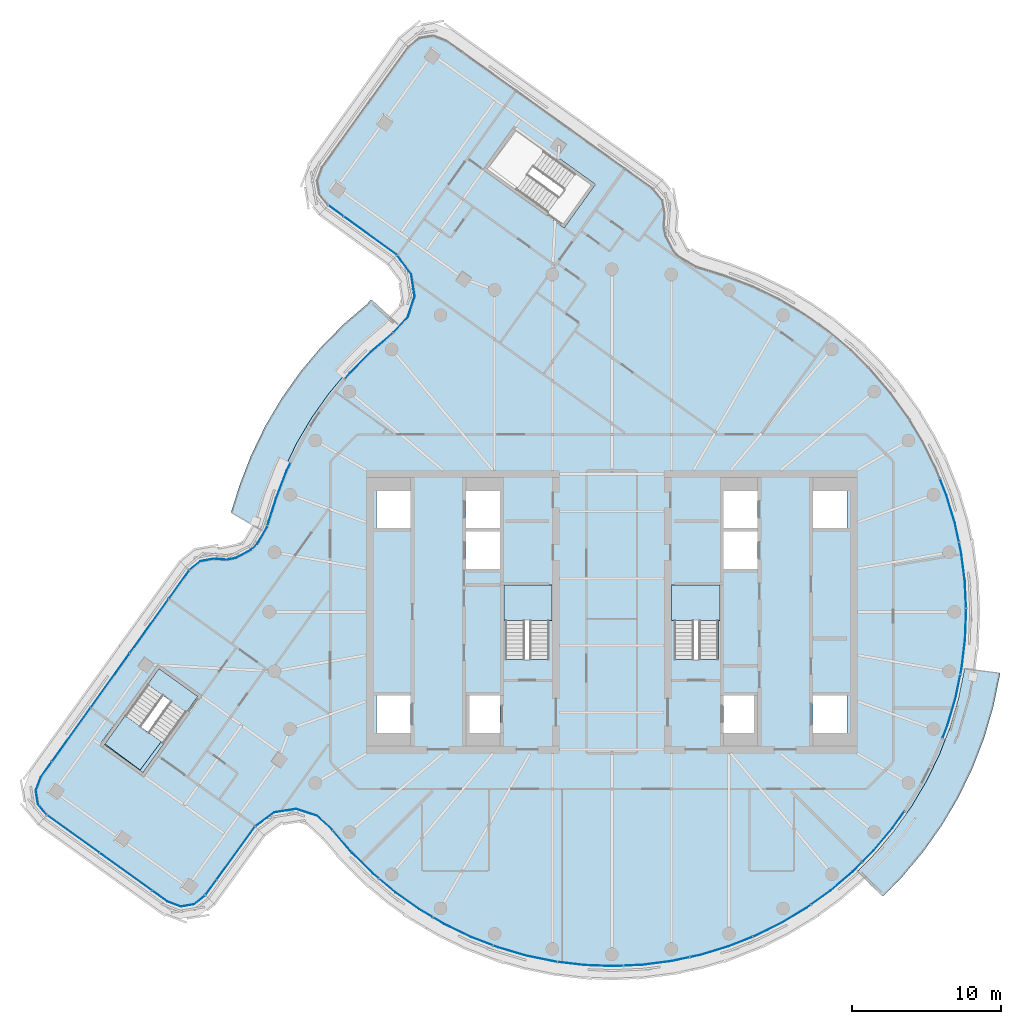
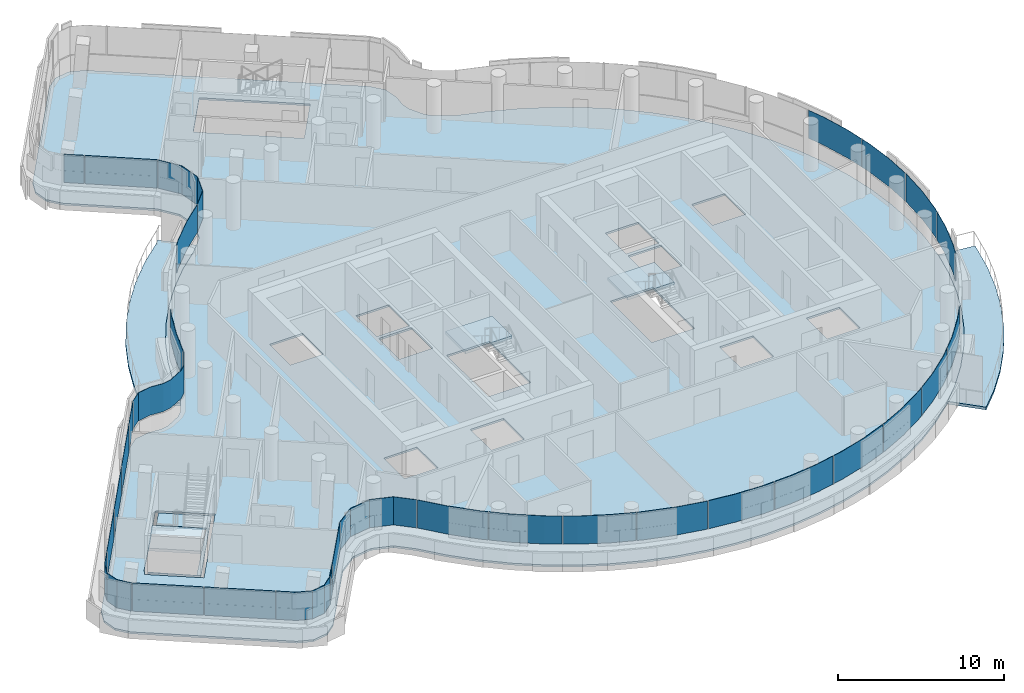
# One storey, part 15 of 27: 31 plates, 7 slabs, 9 elements without a shape of their own.
"""IFC4 building model written with IfcOpenShell, lengths in metres."""

from ifc_helpers import new_model, si_unit, direction, frame, origin, place, context, subcontext, project, spatial, polyline, outline, extrude, material, layer, layer_set, type_object, element, aggregate, save


model = new_model("IFC4")

# Units and contexts
model_context = context("Model", 3, precision=1e-05, world=origin(), true_north=direction((0.0, 1.0)))
body_context = subcontext(model_context, "Body", "Model", "MODEL_VIEW")
ifc_project = project(units=[si_unit("LENGTHUNIT", "METRE"), si_unit("AREAUNIT", "SQUARE_METRE"), si_unit("VOLUMEUNIT", "CUBIC_METRE"), si_unit("PLANEANGLEUNIT", "RADIAN"), si_unit("MASSUNIT", "GRAM", prefix="KILO")], contexts=[model_context])

# Site, building, storey
site_placement = place(None, origin())
site = spatial("IfcSite", under=ifc_project, at=site_placement, CompositionType="ELEMENT")
building_placement = place(site_placement, origin())
building = spatial("IfcBuilding", under=site, at=building_placement, Name="Tamarind Cross Interchange Tower", CompositionType="ELEMENT")
storey_placement = place(building_placement, frame((0.0, 0.0, 230.699951171875)))
storey = spatial("IfcBuildingStorey", under=building, at=storey_placement, Name="L58", CompositionType="ELEMENT", Elevation=230.699951171875)

# Slabs
ifc_material_1 = material(Name="Precast concrete C40", Category="concrete")
ifc_layer_1 = layer(ifc_material_1, 0.199951171875)
ifc_layer_set_1 = layer_set([ifc_layer_1], Name="Precast concrete C40")
slab_type_1 = type_object("IfcSlabType", Name="Balcony slab", PredefinedType="BASESLAB", material=ifc_layer_set_1)
slab_1_placement = place(storey_placement, frame((0.0, 0.0, -0.199951171875)))
element("IfcSlab", 1, at=slab_1_placement, inside=storey, type_object=slab_type_1, Name="SLB-L58-BAL02", PredefinedType="BASESLAB", context=body_context, shape_type="SweptSolid", body=[
    extrude(outline(polyline([(16.49658203125, -17.414306640625), (17.72412109375, -16.17578125), (18.99951171875, -14.656982421875), (20.14501953125, -13.0380859375), (21.15283203125, -11.329833984375), (22.01611328125, -9.54443359375), (22.72900390625, -7.69384765625), (23.286865234375, -5.79052734375), (23.685546875, -3.84765625), (23.686767578125, -3.836669921875), (26.069580078125, -4.123291015625), (26.056396484375, -4.23291015625), (25.617919921875, -6.3701171875), (25.00439453125, -8.4638671875), (24.219970703125, -10.499755859375), (23.270263671875, -12.464111328125), (22.161376953125, -14.343017578125), (20.9013671875, -16.124267578125), (19.498291015625, -17.795166015625), (18.200927734375, -19.10400390625), (16.49658203125, -17.414306640625)])), origin(), (0.0, 0.0, 1.0), 0.199951171875),
])
slab_2_placement = place(storey_placement, frame((0.0, 0.0, -0.199951171875)))
element("IfcSlab", 2, at=slab_2_placement, inside=storey, type_object=slab_type_1, Name="SLB-L58-BAL06", PredefinedType="BASESLAB", context=body_context, shape_type="SweptSolid", body=[
    extrude(outline(polyline([(-14.4013671875, 19.325927734375), (-14.820068359375, 18.87255859375), (-16.327880859375, 17.584228515625), (-17.72412109375, 16.17578125), (-18.99951171875, 14.656982421875), (-20.14501953125, 13.0380859375), (-21.15283203125, 11.329833984375), (-22.01611328125, 9.54443359375), (-22.72900390625, 7.69384765625), (-23.338623046875, 5.751220703125), (-23.5029296875, 5.47021484375), (-25.5751953125, 6.6806640625), (-25.547607421875, 6.72802734375), (-24.99609375, 8.485107421875), (-24.219970703125, 10.499755859375), (-23.270263671875, 12.464111328125), (-22.161376953125, 14.343017578125), (-20.9013671875, 16.124267578125), (-19.498291015625, 17.795166015625), (-17.96240234375, 19.344482421875), (-16.487060546875, 20.60498046875), (-16.1650390625, 20.953857421875), (-14.4013671875, 19.325927734375)])), origin(), (0.0, 0.0, 1.0), 0.199951171875),
])
ifc_material_2 = material(Name="Concrete C35", Category="concrete")
ifc_layer_2 = layer(ifc_material_2, 0.139892578125)
ifc_layer_set_2 = layer_set([ifc_layer_2], Name="Concrete C35")
slab_type_2 = type_object("IfcSlabType", Name="Composite slab 140 Concrete C35", PredefinedType="FLOOR", material=ifc_layer_set_2)
slab_3_placement = place(storey_placement, frame((0.0, 0.0, -0.139892578125)))
element("IfcSlab", 3, at=slab_3_placement, inside=storey, type_object=slab_type_2, Name="Floor slab L58", PredefinedType="FLOOR", context=body_context, shape_type="SweptSolid", body=[
    extrude(outline(polyline([(-27.72705078125, 3.582275390625), (-28.5107421875, 2.933837890625), (-38.51953125, -11.01025390625), (-38.885009765625, -11.978759765625), (-38.71728515625, -13.00048828125), (-38.06103515625, -13.80126953125), (-29.937255859375, -19.63232421875), (-28.968505859375, -19.997802734375), (-27.947021484375, -19.830078125), (-27.146240234375, -19.173828125), (-23.798828125, -14.558349609375), (-22.587890625, -13.659423828125), (-21.21630859375, -13.441650390625), (-19.896728515625, -13.874755859375), (-18.87255859375, -14.820068359375), (-17.584228515625, -16.327880859375), (-16.17578125, -17.72412109375), (-14.656982421875, -18.99951171875), (-13.0380859375, -20.14501953125), (-11.329833984375, -21.15283203125), (-9.54443359375, -22.01611328125), (-7.693603515625, -22.72900390625), (-5.79052734375, -23.286865234375), (-3.84765625, -23.685546875), (-1.878662109375, -23.92236328125), (0.103271484375, -23.99560546875), (2.08447265625, -23.9052734375), (4.051513671875, -23.651611328125), (5.99072265625, -23.236083984375), (7.88916015625, -22.662109375), (9.7333984375, -21.93310546875), (11.511474609375, -21.054443359375), (13.2109375, -20.031982421875), (14.820068359375, -18.87255859375), (16.327880859375, -17.584228515625), (17.72412109375, -16.17578125), (18.99951171875, -14.656982421875), (20.14501953125, -13.0380859375), (21.15283203125, -11.329833984375), (22.01611328125, -9.54443359375), (22.72900390625, -7.693603515625), (23.286865234375, -5.79052734375), (23.685546875, -3.84765625), (23.92236328125, -1.878662109375), (23.99560546875, 0.103271484375), (23.9052734375, 2.08447265625), (23.651611328125, 4.051513671875), (23.236083984375, 5.99072265625), (22.662109375, 7.88916015625), (21.93310546875, 9.7333984375), (21.054443359375, 11.511474609375), (20.031982421875, 13.2109375), (18.87255859375, 14.820068359375), (17.584228515625, 16.327880859375), (16.17578125, 17.72412109375), (14.656982421875, 18.99951171875), (13.0380859375, 20.14501953125), (11.329833984375, 21.15283203125), (9.54443359375, 22.01611328125), (7.693603515625, 22.72900390625), (5.751220703125, 23.338623046875), (4.681640625, 23.96337890625), (4.30712890625, 24.356201171875), (3.7998046875, 25.328369140625), (3.691650390625, 25.8603515625), (3.76123046875, 26.7255859375), (3.582275390625, 27.72705078125), (2.933837890625, 28.5107421875), (-11.01025390625, 38.51953125), (-11.978759765625, 38.885009765625), (-13.00048828125, 38.71728515625), (-13.80126953125, 38.06103515625), (-19.63232421875, 29.937255859375), (-19.997802734375, 28.968505859375), (-19.830078125, 27.947021484375), (-19.173828125, 27.146240234375), (-14.558349609375, 23.798828125), (-13.659423828125, 22.587890625), (-13.441650390625, 21.21630859375), (-13.874755859375, 19.896728515625), (-14.820068359375, 18.87255859375), (-16.327880859375, 17.584228515625), (-17.72412109375, 16.17578125), (-18.99951171875, 14.656982421875), (-20.14501953125, 13.0380859375), (-21.15283203125, 11.329833984375), (-22.01611328125, 9.54443359375), (-22.72900390625, 7.693603515625), (-23.338623046875, 5.751220703125), (-23.96337890625, 4.681640625), (-24.356201171875, 4.30712890625), (-25.328369140625, 3.7998046875), (-25.8603515625, 3.691650390625), (-26.7255859375, 3.76123046875), (-27.72705078125, 3.582275390625)]), holes=[polyline([(-30.44775390625, -3.53759765625), (-30.285400390625, -3.654296875), (-27.685791015625, -5.520263671875), (-27.523193359375, -5.636962890625), (-31.43017578125, -11.079833984375), (-31.592529296875, -10.963134765625), (-34.192138671875, -9.09716796875), (-34.354736328125, -8.980712890625), (-34.1884765625, -8.748779296875), (-34.236572265625, -8.713134765625), (-32.269775390625, -6.075927734375), (-30.44775390625, -3.53759765625)]), polyline([(-13.5, -8.125), (-15.800048828125, -8.125), (-15.800048828125, -5.625), (-13.5, -5.625), (-13.5, -8.125)]), polyline([(-7.5, -8.125), (-9.800048828125, -8.125), (-9.800048828125, -5.625), (-7.5, -5.625), (-7.5, -8.125)]), polyline([(-7.5, 2.875), (-9.800048828125, 2.875), (-9.800048828125, 5.375), (-7.5, 5.375), (-7.5, 2.875)]), polyline([(-13.5, 8.125), (-13.5, 5.625), (-15.800048828125, 5.625), (-15.800048828125, 8.125), (-13.5, 8.125)]), polyline([(-7.5, 5.625), (-9.800048828125, 5.625), (-9.800048828125, 8.125), (-7.5, 8.125), (-7.5, 5.625)]), polyline([(-1.1005859375, 28.698486328125), (-1.217041015625, 28.535888671875), (-3.0830078125, 25.936279296875), (-3.19970703125, 25.773681640625), (-8.642578125, 29.680908203125), (-8.526123046875, 29.84326171875), (-6.66015625, 32.44287109375), (-6.54345703125, 32.605224609375), (-6.311279296875, 32.438720703125), (-6.30810546875, 32.443115234375), (-6.075927734375, 32.269775390625), (-1.1005859375, 28.698486328125)]), polyline([(7.5, -8.125), (7.5, -5.625), (9.800048828125, -5.625), (9.800048828125, -8.125), (7.5, -8.125)]), polyline([(13.5, -8.125), (13.5, -5.625), (15.800048828125, -5.625), (15.800048828125, -8.125), (13.5, -8.125)]), polyline([(-7.14990234375, 1.800048828125), (-4.199951171875, 1.800048828125), (-4.199951171875, -3.18798828125), (-7.14990234375, -3.18798828125), (-7.14990234375, 1.800048828125)]), polyline([(7.14990234375, 1.800048828125), (7.14990234375, -3.18798828125), (4.199951171875, -3.18798828125), (4.199951171875, 1.800048828125), (7.14990234375, 1.800048828125)]), polyline([(7.5, 5.375), (9.800048828125, 5.375), (9.800048828125, 2.875), (7.5, 2.875), (7.5, 5.375)]), polyline([(7.5, 5.625), (7.5, 8.125), (9.800048828125, 8.125), (9.800048828125, 5.625), (7.5, 5.625)]), polyline([(13.5, 8.125), (15.800048828125, 8.125), (15.800048828125, 5.625), (13.5, 5.625), (13.5, 8.125)])]), origin(), (0.0, 0.0, 1.0), 0.139892578125),
])
slab_4_placement = place(storey_placement, frame((0.0, 0.0, -0.139892578125)))
element("IfcSlab", 4, at=slab_4_placement, inside=storey, type_object=slab_type_2, Name="Floor slab L58", PredefinedType="FLOOR", context=body_context, shape_type="SweptSolid", body=[
    extrude(outline(polyline([(-34.07568359375, -8.934814453125), (-31.47607421875, -10.80078125), (-27.80224609375, -5.6826171875), (-30.40185546875, -3.816650390625), (-31.118896484375, -4.815673828125), (-31.13671875, -4.840087890625), (-31.1669921875, -4.882568359375), (-28.70556640625, -6.6494140625), (-31.67138671875, -10.626220703125), (-34.028076171875, -8.868408203125), (-34.07568359375, -8.934814453125)])), origin(), (0.0, 0.0, 1.0), 0.139892578125),
])

# Stair, slab
ifc_material_3 = material(Name="Exit stair")
stair_type = type_object("IfcStairType", Name="Exit stair", PredefinedType="HALF_TURN_STAIR", material=ifc_material_3)
stair_1_placement = place(storey_placement, origin())
stair_1 = element("IfcStair", 5, at=stair_1_placement, inside=storey, type_object=stair_type, Name="L58 exit stair ST1", PredefinedType="HALF_TURN_STAIR")
ifc_material_4 = material(Name="Concrete C40", Category="concrete")
ifc_layer_3 = layer(ifc_material_4, 0.199951171875)
ifc_layer_set_3 = layer_set([ifc_layer_3], Name="Concrete C40")
slab_type_3 = type_object("IfcSlabType", Name="Stair landing", PredefinedType="LANDING", material=ifc_layer_set_3)
slab_5_placement = place(storey_placement, frame((0.0, 0.0, 1.60009765625)))
slab_5 = element("IfcSlab", 6, at=slab_5_placement, type_object=slab_type_3, Name="ST1 landing 1", PredefinedType="LANDING", context=body_context, shape_type="SweptSolid", body=[
    extrude(outline(polyline([(-4.0, -0.60009765625), (-4.0, 1.800048828125), (-7.25, 1.800048828125), (-7.25, -0.60009765625), (-4.0, -0.60009765625)])), origin(), (0.0, 0.0, 1.0), 0.199951171875),
])
aggregate(stair_1, [slab_5])

stair_2_placement = place(storey_placement, origin())
stair_2 = element("IfcStair", 7, at=stair_2_placement, inside=storey, type_object=stair_type, Name="L58 exit stair ST2", PredefinedType="HALF_TURN_STAIR")
slab_6_placement = place(storey_placement, frame((0.0, 0.0, 1.60009765625)))
slab_6 = element("IfcSlab", 8, at=slab_6_placement, type_object=slab_type_3, Name="ST2 landing 1", PredefinedType="LANDING", context=body_context, shape_type="SweptSolid", body=[
    extrude(outline(polyline([(7.25, -0.60009765625), (7.25, 1.800048828125), (4.0, 1.800048828125), (4.0, -0.60009765625), (7.25, -0.60009765625)])), origin(), (0.0, 0.0, 1.0), 0.199951171875),
])
aggregate(stair_2, [slab_6])

stair_3_placement = place(storey_placement, origin())
stair_3 = element("IfcStair", 9, at=stair_3_placement, inside=storey, type_object=stair_type, Name="L58 exit stair ST5", PredefinedType="HALF_TURN_STAIR")
slab_7_placement = place(storey_placement, frame((0.0, 0.0, 1.60009765625)))
slab_7 = element("IfcSlab", 10, at=slab_7_placement, type_object=slab_type_3, Name="ST5 landing 1", PredefinedType="LANDING", context=body_context, shape_type="SweptSolid", body=[
    extrude(outline(polyline([(-32.669189453125, -6.975341796875), (-34.07568359375, -8.934814453125), (-31.47607421875, -10.80078125), (-30.069580078125, -8.84130859375), (-32.669189453125, -6.975341796875)])), origin(), (0.0, 0.0, 1.0), 0.199951171875),
])
aggregate(stair_3, [slab_7])

# Curtain wall, plates
ifc_material_5 = material(Name="Aluminium 6063-T6", Category="aluminium")
ifc_layer_4 = layer(ifc_material_5, 0.139892578125)
ifc_layer_set_4 = layer_set([ifc_layer_4], Name="Aluminium 6063-T6")
curtain_wall_type = type_object("IfcCurtainWallType", Name="Hotel curtain wall, 4.5 m bays", PredefinedType="NOTDEFINED", material=ifc_layer_set_4)
curtain_wall_1_placement = place(storey_placement, origin())
curtain_wall_1 = element("IfcCurtainWall", 11, at=curtain_wall_1_placement, inside=storey, type_object=curtain_wall_type, Name="CWS-L58-00", PredefinedType="NOTDEFINED")
ifc_material_6 = material(Name="Laminated low-e glass 6+1.52+6", Category="glass")
ifc_layer_5 = layer(ifc_material_6, 0.02392578125)
ifc_layer_set_5 = layer_set([ifc_layer_5], Name="Laminated low-e glass 6+1.52+6")
plate_type = type_object("IfcPlateType", Name="Vision panel CW2", PredefinedType="CURTAIN_PANEL", material=ifc_layer_set_5)
plate_1_placement = place(storey_placement, frame((0.0, 0.0, 1.400146484375)))
plate_1 = element("IfcPlate", 12, at=plate_1_placement, type_object=plate_type, Name="CWP-L58-00-00", PredefinedType="CURTAIN_PANEL", context=body_context, shape_type="SweptSolid", body=[
    extrude(outline(polyline([(-37.8916015625, -13.661865234375), (-34.41015625, -16.160888671875), (-34.424072265625, -16.180419921875), (-37.90576171875, -13.681396484375), (-37.8916015625, -13.661865234375)])), origin(), (0.0, 0.0, 1.0), 2.059814453125),
])
plate_2_placement = place(storey_placement, frame((0.0, 0.0, 1.400146484375)))
plate_2 = element("IfcPlate", 13, at=plate_2_placement, type_object=plate_type, Name="CWP-L58-00-01", PredefinedType="CURTAIN_PANEL", context=body_context, shape_type="SweptSolid", body=[
    extrude(outline(polyline([(-34.361328125, -16.19580078125), (-30.8798828125, -18.69482421875), (-30.893798828125, -18.71435546875), (-34.37548828125, -16.21533203125), (-34.361328125, -16.19580078125)])), origin(), (0.0, 0.0, 1.0), 2.059814453125),
])
plate_3_placement = place(storey_placement, frame((0.0, 0.0, 1.400146484375)))
plate_3 = element("IfcPlate", 14, at=plate_3_placement, type_object=plate_type, Name="CWP-L58-00-02", PredefinedType="CURTAIN_PANEL", context=body_context, shape_type="SweptSolid", body=[
    extrude(outline(polyline([(-30.8310546875, -18.729736328125), (-29.836181640625, -19.44384765625), (-28.947021484375, -19.779541015625), (-28.037353515625, -19.630126953125), (-27.32373046875, -19.045166015625), (-27.30859375, -19.06396484375), (-28.027099609375, -19.652587890625), (-28.949462890625, -19.80419921875), (-29.84765625, -19.46533203125), (-30.844970703125, -18.749267578125), (-30.8310546875, -18.729736328125)])), origin(), (0.0, 0.0, 1.0), 2.059814453125),
])
aggregate(curtain_wall_1, [plate_1, plate_2, plate_3])

curtain_wall_2_placement = place(storey_placement, origin())
curtain_wall_2 = element("IfcCurtainWall", 15, at=curtain_wall_2_placement, inside=storey, type_object=curtain_wall_type, Name="CWS-L58-01", PredefinedType="NOTDEFINED")
plate_4_placement = place(storey_placement, frame((0.0, 0.0, 1.400146484375)))
plate_4 = element("IfcPlate", 16, at=plate_4_placement, type_object=plate_type, Name="CWP-L58-01-00", PredefinedType="CURTAIN_PANEL", context=body_context, shape_type="SweptSolid", body=[
    extrude(outline(polyline([(-27.28515625, -19.004150390625), (-26.569580078125, -18.017822265625), (-26.55029296875, -18.031982421875), (-27.265625, -19.018310546875), (-27.28515625, -19.004150390625)])), origin(), (0.0, 0.0, 1.0), 2.059814453125),
])
plate_5_placement = place(storey_placement, frame((0.0, 0.0, 1.400146484375)))
plate_5 = element("IfcPlate", 17, at=plate_5_placement, type_object=plate_type, Name="CWP-L58-01-01", PredefinedType="CURTAIN_PANEL", context=body_context, shape_type="SweptSolid", body=[
    extrude(outline(polyline([(-26.534423828125, -17.96923828125), (-23.969970703125, -14.433349609375), (-23.95068359375, -14.447265625), (-26.51513671875, -17.9833984375), (-26.534423828125, -17.96923828125)])), origin(), (0.0, 0.0, 1.0), 2.059814453125),
])
aggregate(curtain_wall_2, [plate_4, plate_5])

curtain_wall_3_placement = place(storey_placement, origin())
curtain_wall_3 = element("IfcCurtainWall", 18, at=curtain_wall_3_placement, inside=storey, type_object=curtain_wall_type, Name="CWS-L58-02", PredefinedType="NOTDEFINED")
plate_6_placement = place(storey_placement, frame((0.0, 0.0, 1.400146484375)))
plate_6 = element("IfcPlate", 19, at=plate_6_placement, type_object=plate_type, Name="CWP-L58-02-00", PredefinedType="CURTAIN_PANEL", context=body_context, shape_type="SweptSolid", body=[
    extrude(outline(polyline([(-23.92578125, -14.388427734375), (-22.67236328125, -13.458251953125), (-21.19873046875, -13.22412109375), (-19.786865234375, -13.687744140625), (-18.7392578125, -14.654541015625), (-18.755615234375, -14.672119140625), (-19.79931640625, -13.708984375), (-21.20068359375, -13.248779296875), (-22.662841796875, -13.48095703125), (-23.911376953125, -14.40771484375), (-23.92578125, -14.388427734375)])), origin(), (0.0, 0.0, 1.0), 2.059814453125),
])
plate_7_placement = place(storey_placement, frame((0.0, 0.0, 1.400146484375)))
plate_7 = element("IfcPlate", 20, at=plate_7_placement, type_object=plate_type, Name="CWP-L58-02-01", PredefinedType="CURTAIN_PANEL", context=body_context, shape_type="SweptSolid", body=[
    extrude(outline(polyline([(-18.697021484375, -14.698974609375), (-17.4287109375, -16.183349609375), (-16.032958984375, -17.5673828125), (-15.644775390625, -17.893310546875), (-15.66015625, -17.91162109375), (-16.049072265625, -17.585205078125), (-17.4462890625, -16.19970703125), (-18.71533203125, -14.714599609375), (-18.697021484375, -14.698974609375)])), origin(), (0.0, 0.0, 1.0), 2.059814453125),
])
plate_8_placement = place(storey_placement, frame((0.0, 0.0, 1.400146484375)))
plate_8 = element("IfcPlate", 21, at=plate_8_placement, type_object=plate_type, Name="CWP-L58-02-02", PredefinedType="CURTAIN_PANEL", context=body_context, shape_type="SweptSolid", body=[
    extrude(outline(polyline([(-15.598876953125, -17.931884765625), (-14.52734375, -18.83154296875), (-12.922607421875, -19.966796875), (-12.026611328125, -20.49560546875), (-12.03857421875, -20.516357421875), (-12.935791015625, -19.987060546875), (-14.5419921875, -18.850341796875), (-15.6142578125, -17.9501953125), (-15.598876953125, -17.931884765625)])), origin(), (0.0, 0.0, 1.0), 2.059814453125),
])
plate_9_placement = place(storey_placement, frame((0.0, 0.0, 1.400146484375)))
plate_9 = element("IfcPlate", 22, at=plate_9_placement, type_object=plate_type, Name="CWP-L58-02-03", PredefinedType="CURTAIN_PANEL", context=body_context, shape_type="SweptSolid", body=[
    extrude(outline(polyline([(-11.974853515625, -20.526123046875), (-11.229736328125, -20.9658203125), (-9.4599609375, -21.821533203125), (-7.990966796875, -22.387451171875), (-7.99951171875, -22.40966796875), (-9.469482421875, -21.843505859375), (-11.240966796875, -20.98681640625), (-11.987060546875, -20.546630859375), (-11.974853515625, -20.526123046875)])), origin(), (0.0, 0.0, 1.0), 2.059814453125),
])
plate_10_placement = place(storey_placement, frame((0.0, 0.0, 1.400146484375)))
plate_10 = element("IfcPlate", 23, at=plate_10_placement, type_object=plate_type, Name="CWP-L58-02-04", PredefinedType="CURTAIN_PANEL", context=body_context, shape_type="SweptSolid", body=[
    extrude(outline(polyline([(-7.93505859375, -22.408935546875), (-7.625732421875, -22.528076171875), (-5.7392578125, -23.080810546875), (-3.813720703125, -23.47607421875), (-3.673828125, -23.492919921875), (-3.6767578125, -23.5166015625), (-3.817626953125, -23.499755859375), (-5.7451171875, -23.104248046875), (-7.63330078125, -22.55078125), (-7.943603515625, -22.431396484375), (-7.93505859375, -22.408935546875)])), origin(), (0.0, 0.0, 1.0), 2.059814453125),
])
plate_11_placement = place(storey_placement, frame((0.0, 0.0, 1.400146484375)))
plate_11 = element("IfcPlate", 24, at=plate_11_placement, type_object=plate_type, Name="CWP-L58-02-05", PredefinedType="CURTAIN_PANEL", context=body_context, shape_type="SweptSolid", body=[
    extrude(outline(polyline([(-3.6142578125, -23.5), (-1.862060546875, -23.710693359375), (0.102294921875, -23.783447265625), (0.776123046875, -23.752685546875), (0.777099609375, -23.77685546875), (0.1025390625, -23.8076171875), (-1.864013671875, -23.734619140625), (-3.6171875, -23.52392578125), (-3.6142578125, -23.5)])), origin(), (0.0, 0.0, 1.0), 2.059814453125),
])
plate_12_placement = place(storey_placement, frame((0.0, 0.0, 1.400146484375)))
plate_12 = element("IfcPlate", 25, at=plate_12_placement, type_object=plate_type, Name="CWP-L58-02-06", PredefinedType="CURTAIN_PANEL", context=body_context, shape_type="SweptSolid", body=[
    extrude(outline(polyline([(0.8359375, -23.75), (2.06591796875, -23.69384765625), (4.015625, -23.4423828125), (5.197021484375, -23.189208984375), (5.201904296875, -23.212890625), (4.019775390625, -23.466064453125), (2.068115234375, -23.7177734375), (0.837158203125, -23.77392578125), (0.8359375, -23.75)])), origin(), (0.0, 0.0, 1.0), 2.059814453125),
])
plate_13_placement = place(storey_placement, frame((0.0, 0.0, 1.400146484375)))
plate_13 = element("IfcPlate", 26, at=plate_13_placement, type_object=plate_type, Name="CWP-L58-02-07", PredefinedType="CURTAIN_PANEL", context=body_context, shape_type="SweptSolid", body=[
    extrude(outline(polyline([(5.255615234375, -23.1767578125), (5.937744140625, -23.03076171875), (7.8193359375, -22.461669921875), (9.439208984375, -21.821533203125), (9.447998046875, -21.84375), (7.8271484375, -22.484375), (5.94384765625, -23.053955078125), (5.2607421875, -23.2001953125), (5.255615234375, -23.1767578125)])), origin(), (0.0, 0.0, 1.0), 2.059814453125),
])
plate_14_placement = place(storey_placement, frame((0.0, 0.0, 1.400146484375)))
plate_14 = element("IfcPlate", 27, at=plate_14_placement, type_object=plate_type, Name="CWP-L58-02-08", PredefinedType="CURTAIN_PANEL", context=body_context, shape_type="SweptSolid", body=[
    extrude(outline(polyline([(9.494873046875, -21.799560546875), (9.6474609375, -21.7392578125), (11.40966796875, -20.868408203125), (13.093994140625, -19.854736328125), (13.34423828125, -19.674560546875), (13.358154296875, -19.694091796875), (13.107177734375, -19.874755859375), (11.421142578125, -20.889404296875), (9.6572265625, -21.76123046875), (9.50390625, -21.82177734375), (9.494873046875, -21.799560546875)])), origin(), (0.0, 0.0, 1.0), 2.059814453125),
])
plate_15_placement = place(storey_placement, frame((0.0, 0.0, 1.400146484375)))
plate_15 = element("IfcPlate", 28, at=plate_15_placement, type_object=plate_type, Name="CWP-L58-02-09", PredefinedType="CURTAIN_PANEL", context=body_context, shape_type="SweptSolid", body=[
    extrude(outline(polyline([(13.392822265625, -19.6396484375), (14.68896484375, -18.705810546875), (16.183349609375, -17.4287109375), (16.776123046875, -16.830810546875), (16.793212890625, -16.847900390625), (16.19970703125, -17.4462890625), (14.703857421875, -18.724609375), (13.40673828125, -19.658935546875), (13.392822265625, -19.6396484375)])), origin(), (0.0, 0.0, 1.0), 2.059814453125),
])
plate_16_placement = place(storey_placement, frame((0.0, 0.0, 1.400146484375)))
plate_16 = element("IfcPlate", 29, at=plate_16_placement, type_object=plate_type, Name="CWP-L58-02-10", PredefinedType="CURTAIN_PANEL", context=body_context, shape_type="SweptSolid", body=[
    extrude(outline(polyline([(16.818359375, -16.788330078125), (17.5673828125, -16.032958984375), (18.83154296875, -14.52734375), (19.6259765625, -13.404296875), (19.6455078125, -13.418212890625), (18.850341796875, -14.5419921875), (17.585205078125, -16.049072265625), (16.83544921875, -16.80517578125), (16.818359375, -16.788330078125)])), origin(), (0.0, 0.0, 1.0), 2.059814453125),
])
plate_17_placement = place(storey_placement, frame((0.0, 0.0, 1.400146484375)))
plate_17 = element("IfcPlate", 30, at=plate_17_placement, type_object=plate_type, Name="CWP-L58-02-12", PredefinedType="CURTAIN_PANEL", context=body_context, shape_type="SweptSolid", body=[
    extrude(outline(polyline([(22.203857421875, -8.467041015625), (22.528076171875, -7.625732421875), (23.080810546875, -5.7392578125), (23.389892578125, -4.23291015625), (23.41357421875, -4.23779296875), (23.104248046875, -5.7451171875), (22.55078125, -7.63330078125), (22.226318359375, -8.475830078125), (22.203857421875, -8.467041015625)])), origin(), (0.0, 0.0, 1.0), 2.059814453125),
])
plate_18_placement = place(storey_placement, frame((0.0, 0.0, 1.400146484375)))
plate_18 = element("IfcPlate", 31, at=plate_18_placement, type_object=plate_type, Name="CWP-L58-02-13", PredefinedType="CURTAIN_PANEL", context=body_context, shape_type="SweptSolid", body=[
    extrude(outline(polyline([(23.402099609375, -4.174072265625), (23.47607421875, -3.813720703125), (23.710693359375, -1.862060546875), (23.783447265625, 0.102294921875), (23.77880859375, 0.20654296875), (23.802734375, 0.20751953125), (23.8076171875, 0.1025390625), (23.734619140625, -1.864013671875), (23.499755859375, -3.817626953125), (23.425537109375, -4.178955078125), (23.402099609375, -4.174072265625)])), origin(), (0.0, 0.0, 1.0), 2.059814453125),
])
plate_19_placement = place(storey_placement, frame((0.0, 0.0, 1.400146484375)))
plate_19 = element("IfcPlate", 32, at=plate_19_placement, type_object=plate_type, Name="CWP-L58-02-14", PredefinedType="CURTAIN_PANEL", context=body_context, shape_type="SweptSolid", body=[
    extrude(outline(polyline([(23.776123046875, 0.266357421875), (23.69384765625, 2.06591796875), (23.4423828125, 4.015625), (23.308837890625, 4.63916015625), (23.332275390625, 4.644287109375), (23.466064453125, 4.019775390625), (23.7177734375, 2.068115234375), (23.800048828125, 0.267578125), (23.776123046875, 0.266357421875)])), origin(), (0.0, 0.0, 1.0), 2.059814453125),
])
plate_20_placement = place(storey_placement, frame((0.0, 0.0, 1.400146484375)))
plate_20 = element("IfcPlate", 33, at=plate_20_placement, type_object=plate_type, Name="CWP-L58-02-15", PredefinedType="CURTAIN_PANEL", context=body_context, shape_type="SweptSolid", body=[
    extrude(outline(polyline([(23.296142578125, 4.697998046875), (23.03076171875, 5.937744140625), (22.461669921875, 7.8193359375), (22.031005859375, 8.908935546875), (22.053466796875, 8.917724609375), (22.484375, 7.8271484375), (23.053955078125, 5.94384765625), (23.319580078125, 4.702880859375), (23.296142578125, 4.697998046875)])), origin(), (0.0, 0.0, 1.0), 2.059814453125),
])
aggregate(curtain_wall_3, [plate_6, plate_7, plate_8, plate_9, plate_10, plate_11, plate_12, plate_13, plate_14, plate_15, plate_16, plate_17, plate_18, plate_19, plate_20])

curtain_wall_4_placement = place(storey_placement, origin())
curtain_wall_4 = element("IfcCurtainWall", 34, at=curtain_wall_4_placement, inside=storey, type_object=curtain_wall_type, Name="CWS-L58-05", PredefinedType="NOTDEFINED")
plate_21_placement = place(storey_placement, frame((0.0, 0.0, 1.400146484375)))
plate_21 = element("IfcPlate", 35, at=plate_21_placement, type_object=plate_type, Name="CWP-L58-05-00", PredefinedType="CURTAIN_PANEL", context=body_context, shape_type="SweptSolid", body=[
    extrude(outline(polyline([(-19.004150390625, 27.28515625), (-18.017822265625, 26.569580078125), (-18.031982421875, 26.55029296875), (-19.018310546875, 27.265625), (-19.004150390625, 27.28515625)])), origin(), (0.0, 0.0, 1.0), 2.059814453125),
])
plate_22_placement = place(storey_placement, frame((0.0, 0.0, 1.400146484375)))
plate_22 = element("IfcPlate", 36, at=plate_22_placement, type_object=plate_type, Name="CWP-L58-05-01", PredefinedType="CURTAIN_PANEL", context=body_context, shape_type="SweptSolid", body=[
    extrude(outline(polyline([(-17.96923828125, 26.534423828125), (-14.433349609375, 23.969970703125), (-14.447265625, 23.95068359375), (-17.9833984375, 26.51513671875), (-17.96923828125, 26.534423828125)])), origin(), (0.0, 0.0, 1.0), 2.059814453125),
])
aggregate(curtain_wall_4, [plate_21, plate_22])

curtain_wall_5_placement = place(storey_placement, origin())
curtain_wall_5 = element("IfcCurtainWall", 37, at=curtain_wall_5_placement, inside=storey, type_object=curtain_wall_type, Name="CWS-L58-06", PredefinedType="NOTDEFINED")
plate_23_placement = place(storey_placement, frame((0.0, 0.0, 1.400146484375)))
plate_23 = element("IfcPlate", 38, at=plate_23_placement, type_object=plate_type, Name="CWP-L58-06-00", PredefinedType="CURTAIN_PANEL", context=body_context, shape_type="SweptSolid", body=[
    extrude(outline(polyline([(-14.388427734375, 23.92578125), (-13.458251953125, 22.67236328125), (-13.22412109375, 21.19873046875), (-13.687744140625, 19.786865234375), (-14.654541015625, 18.7392578125), (-14.672119140625, 18.755615234375), (-13.708984375, 19.79931640625), (-13.248779296875, 21.20068359375), (-13.48095703125, 22.662841796875), (-14.40771484375, 23.911376953125), (-14.388427734375, 23.92578125)])), origin(), (0.0, 0.0, 1.0), 2.059814453125),
])
plate_24_placement = place(storey_placement, frame((0.0, 0.0, 1.400146484375)))
plate_24 = element("IfcPlate", 39, at=plate_24_placement, type_object=plate_type, Name="CWP-L58-06-01", PredefinedType="CURTAIN_PANEL", context=body_context, shape_type="SweptSolid", body=[
    extrude(outline(polyline([(-14.698974609375, 18.697021484375), (-16.183349609375, 17.4287109375), (-17.5673828125, 16.032958984375), (-17.893310546875, 15.644775390625), (-17.91162109375, 15.66015625), (-17.585205078125, 16.049072265625), (-16.19970703125, 17.4462890625), (-14.714599609375, 18.71533203125), (-14.698974609375, 18.697021484375)])), origin(), (0.0, 0.0, 1.0), 2.059814453125),
])
plate_25_placement = place(storey_placement, frame((0.0, 0.0, 1.400146484375)))
plate_25 = element("IfcPlate", 40, at=plate_25_placement, type_object=plate_type, Name="CWP-L58-06-03", PredefinedType="CURTAIN_PANEL", context=body_context, shape_type="SweptSolid", body=[
    extrude(outline(polyline([(-21.57470703125, 9.969970703125), (-21.821533203125, 9.4599609375), (-22.52880859375, 7.623779296875), (-23.098876953125, 5.807373046875), (-23.121826171875, 5.814453125), (-22.551513671875, 7.6318359375), (-21.843505859375, 9.469482421875), (-21.596435546875, 9.98046875), (-21.57470703125, 9.969970703125)])), origin(), (0.0, 0.0, 1.0), 2.059814453125),
])
plate_26_placement = place(storey_placement, frame((0.0, 0.0, 1.400146484375)))
plate_26 = element("IfcPlate", 41, at=plate_26_placement, type_object=plate_type, Name="CWP-L58-06-04", PredefinedType="CURTAIN_PANEL", context=body_context, shape_type="SweptSolid", body=[
    extrude(outline(polyline([(-23.116943359375, 5.75), (-23.1435546875, 5.6650390625), (-23.79541015625, 4.549072265625), (-24.2314453125, 4.133056640625), (-25.2568359375, 3.597900390625), (-25.847412109375, 3.47802734375), (-26.71533203125, 3.5478515625), (-27.634765625, 3.38330078125), (-28.33251953125, 2.80615234375), (-28.347900390625, 2.82470703125), (-27.645263671875, 3.40576171875), (-26.716552734375, 3.572021484375), (-25.848876953125, 3.502197265625), (-25.264892578125, 3.620849609375), (-24.24560546875, 4.15283203125), (-23.814453125, 4.56396484375), (-23.16552734375, 5.6748046875), (-23.1396484375, 5.75732421875), (-23.116943359375, 5.75)])), origin(), (0.0, 0.0, 1.0), 2.059814453125),
])
aggregate(curtain_wall_5, [plate_23, plate_24, plate_25, plate_26])

curtain_wall_6_placement = place(storey_placement, origin())
curtain_wall_6 = element("IfcCurtainWall", 42, at=curtain_wall_6_placement, inside=storey, type_object=curtain_wall_type, Name="CWS-L58-07", PredefinedType="NOTDEFINED")
plate_27_placement = place(storey_placement, frame((0.0, 0.0, 1.400146484375)))
plate_27 = element("IfcPlate", 43, at=plate_27_placement, type_object=plate_type, Name="CWP-L58-07-00", PredefinedType="CURTAIN_PANEL", context=body_context, shape_type="SweptSolid", body=[
    extrude(outline(polyline([(-28.37109375, 2.764892578125), (-29.7236328125, 0.88037109375), (-29.7431640625, 0.894287109375), (-28.390625, 2.77880859375), (-28.37109375, 2.764892578125)])), origin(), (0.0, 0.0, 1.0), 2.059814453125),
])
plate_28_placement = place(storey_placement, frame((0.0, 0.0, 1.400146484375)))
plate_28 = element("IfcPlate", 44, at=plate_28_placement, type_object=plate_type, Name="CWP-L58-07-01", PredefinedType="CURTAIN_PANEL", context=body_context, shape_type="SweptSolid", body=[
    extrude(outline(polyline([(-29.7587890625, 0.83154296875), (-32.339599609375, -2.76416015625), (-32.359130859375, -2.750244140625), (-29.778076171875, 0.845703125), (-29.7587890625, 0.83154296875)])), origin(), (0.0, 0.0, 1.0), 2.059814453125),
])
plate_29_placement = place(storey_placement, frame((0.0, 0.0, 1.400146484375)))
plate_29 = element("IfcPlate", 45, at=plate_29_placement, type_object=plate_type, Name="CWP-L58-07-02", PredefinedType="CURTAIN_PANEL", context=body_context, shape_type="SweptSolid", body=[
    extrude(outline(polyline([(-32.374755859375, -2.81298828125), (-34.955810546875, -6.408935546875), (-34.975341796875, -6.394775390625), (-32.394287109375, -2.798828125), (-32.374755859375, -2.81298828125)])), origin(), (0.0, 0.0, 1.0), 2.059814453125),
])
plate_30_placement = place(storey_placement, frame((0.0, 0.0, 1.400146484375)))
plate_30 = element("IfcPlate", 46, at=plate_30_placement, type_object=plate_type, Name="CWP-L58-07-03", PredefinedType="CURTAIN_PANEL", context=body_context, shape_type="SweptSolid", body=[
    extrude(outline(polyline([(-34.99072265625, -6.45751953125), (-37.572021484375, -10.053466796875), (-37.59130859375, -10.03955078125), (-35.01025390625, -6.443603515625), (-34.99072265625, -6.45751953125)])), origin(), (0.0, 0.0, 1.0), 2.059814453125),
])
plate_31_placement = place(storey_placement, frame((0.0, 0.0, 1.400146484375)))
plate_31 = element("IfcPlate", 47, at=plate_31_placement, type_object=plate_type, Name="CWP-L58-07-04", PredefinedType="CURTAIN_PANEL", context=body_context, shape_type="SweptSolid", body=[
    extrude(outline(polyline([(-37.60693359375, -10.102294921875), (-38.3310546875, -11.111083984375), (-38.666748046875, -12.00048828125), (-38.517333984375, -12.909912109375), (-37.932861328125, -13.623291015625), (-37.951416015625, -13.638427734375), (-38.539794921875, -12.920166015625), (-38.69140625, -11.998046875), (-38.3525390625, -11.099609375), (-37.62646484375, -10.088134765625), (-37.60693359375, -10.102294921875)])), origin(), (0.0, 0.0, 1.0), 2.059814453125),
])
aggregate(curtain_wall_6, [plate_27, plate_28, plate_29, plate_30, plate_31])

save(model, "model.ifc")
